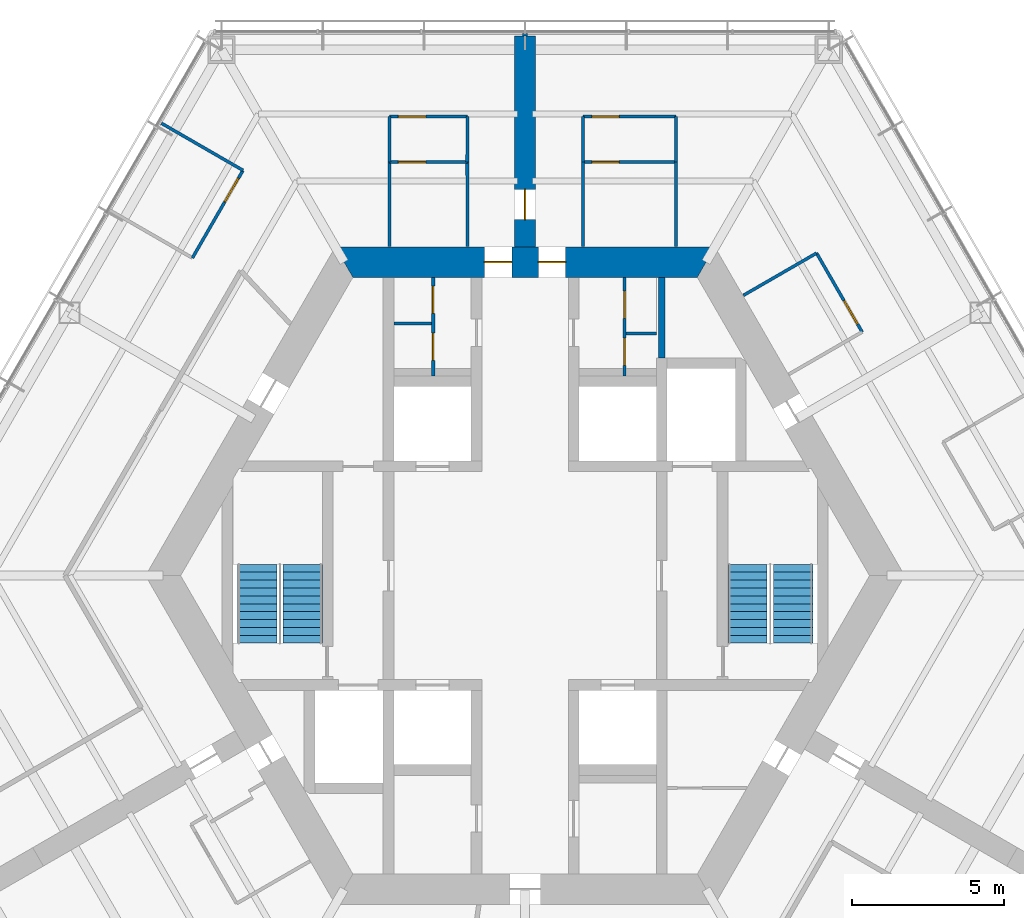
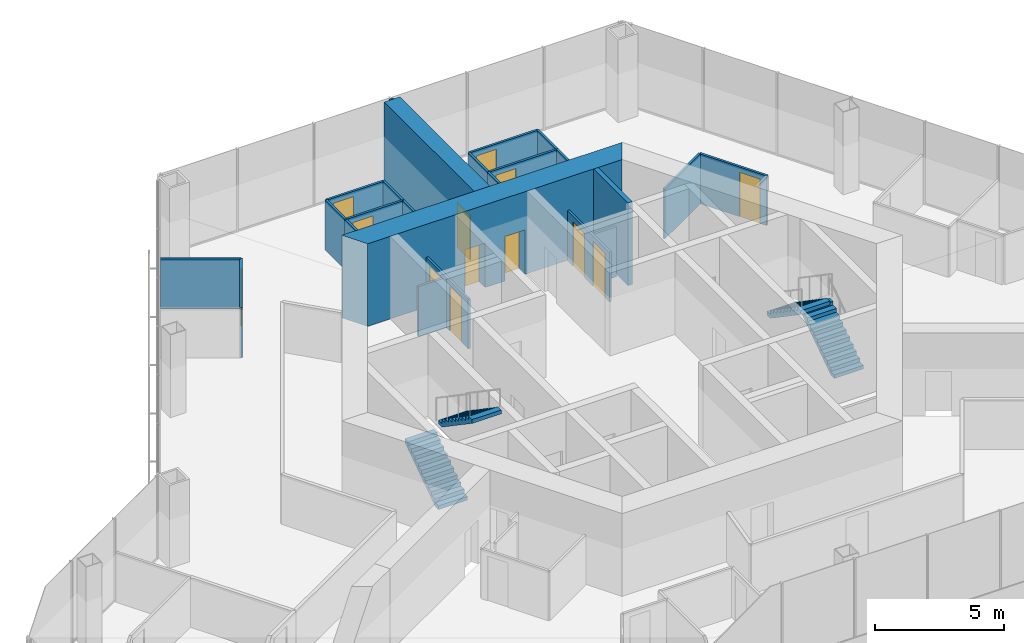
# One storey, part 15 of 18: 24 walls, 13 doors, 4 stair flights, 13 openings, 2 elements without a shape of their own.
"""IFC4 building model written with IfcOpenShell, lengths in metres."""

from ifc_helpers import new_model, si_unit, direction, frame, frame_2d, origin, place, context, subcontext, project, spatial, polyline, rectangle, outline, extrude, material, layer, layer_set, type_object, element, fill, aggregate, save


model = new_model("IFC4")

# Units and contexts
model_context = context("Model", 3, precision=1e-05, world=origin(), true_north=direction((0.0, 1.0)))
body_context = subcontext(model_context, "Body", "Model", "MODEL_VIEW")
ifc_project = project(units=[si_unit("LENGTHUNIT", "METRE"), si_unit("AREAUNIT", "SQUARE_METRE"), si_unit("VOLUMEUNIT", "CUBIC_METRE"), si_unit("PLANEANGLEUNIT", "RADIAN"), si_unit("MASSUNIT", "GRAM", prefix="KILO")], contexts=[model_context])

# Site, building, storey
site_placement = place(None, origin())
site = spatial("IfcSite", under=ifc_project, at=site_placement, CompositionType="ELEMENT")
building_placement = place(site_placement, origin())
building = spatial("IfcBuilding", under=site, at=building_placement, Name="Kasaneha Research Tower", CompositionType="ELEMENT")
storey_placement = place(building_placement, frame((0.0, 0.0, 199.39990234375)))
storey = spatial("IfcBuildingStorey", under=building, at=storey_placement, Name="L50", CompositionType="ELEMENT", Elevation=199.39990234375)

# Wall, openings, doors
ifc_material_1 = material(Name="Concrete Fc70", Category="concrete")
ifc_layer_1 = layer(ifc_material_1, 1.0)
ifc_layer_set_1 = layer_set([ifc_layer_1], Name="Core wall 1000 Fc70")
wall_type_1 = type_object("IfcWallType", Name="Core wall 1000 Fc70", PredefinedType="SHEAR", material=ifc_layer_set_1)
wall_1_placement = place(storey_placement, frame((5.961181640625, 10.324951171875, 0.0), z_axis=(0.0, 0.0, 1.0), x_axis=(-1.0, 0.0, 0.0)))
wall_1 = element("IfcWall", 1, at=wall_1_placement, inside=storey, type_object=wall_type_1, Name="Core wall 090 L50", PredefinedType="SHEAR", context=body_context, shape_type="SweptSolid", body=[
    extrude(outline(polyline([(-0.28857421875, -0.5), (4.62353515625, -0.5), (5.5234375, -0.5), (6.398681640625, -0.5), (7.298583984375, -0.5), (12.2109375, -0.5), (11.6337890625, 0.5), (7.298583984375, 0.5), (6.398681640625, 0.5), (5.5234375, 0.5), (4.62353515625, 0.5), (0.28857421875, 0.5), (-0.28857421875, -0.5)])), origin(), (0.0, 0.0, 1.0), 3.900146484375),
])
opening_1_placement = place(wall_1_placement, frame((6.398681640625, 0.0, 0.0)))
opening_1 = element("IfcOpeningElement", 2, at=opening_1_placement, cuts=wall_1, Name="Opening L50-D01", PredefinedType="OPENING", context=body_context, shape_type="SweptSolid", body=[
    extrude(rectangle(XDim=0.89990234375, YDim=2.10009765625, at=frame_2d((0.449951171875, 1.050048828125))), frame((0.0, 0.510009765625, 0.0), z_axis=(0.0, -1.0, 0.0), x_axis=(1.0, 0.0, 0.0)), (0.0, 0.0, 1.0), 1.02001953125),
])
opening_2_placement = place(wall_1_placement, frame((4.62353515625, 0.0, 0.0)))
opening_2 = element("IfcOpeningElement", 3, at=opening_2_placement, cuts=wall_1, Name="Opening L50-D02", PredefinedType="OPENING", context=body_context, shape_type="SweptSolid", body=[
    extrude(rectangle(XDim=0.89990234375, YDim=2.10009765625, at=frame_2d((0.449951171875, 1.050048828125))), frame((0.0, 0.510009765625, 0.0), z_axis=(0.0, -1.0, 0.0), x_axis=(1.0, 0.0, 0.0)), (0.0, 0.0, 1.0), 1.02001953125),
])
ifc_material_2 = material(Name="Steel", Category="steel")
door_type_1 = type_object("IfcDoorType", Name="Toilet door FD20 900x2100", OperationType="NOTDEFINED", PredefinedType="DOOR", material=ifc_material_2)
door_1_placement = place(opening_1_placement, origin())
door_1 = element("IfcDoor", 4, at=door_1_placement, inside=storey, type_object=door_type_1, Name="Core door north 1 L50-D01", OperationType="SINGLE_SWING_RIGHT", OverallHeight=2.10009765625, OverallWidth=0.89990234375, PredefinedType="DOOR", context=body_context, shape_type="SweptSolid", body=[
    extrude(rectangle(XDim=0.89990234375, YDim=2.10009765625, at=frame_2d((0.449951171875, 1.050048828125))), frame((0.0, 0.02490234375, 0.0), z_axis=(0.0, -1.0, 0.0), x_axis=(1.0, 0.0, 0.0)), (0.0, 0.0, 1.0), 0.050048828125),
])
fill(opening_1, door_1)
door_2_placement = place(opening_2_placement, origin())
door_2 = element("IfcDoor", 5, at=door_2_placement, inside=storey, type_object=door_type_1, Name="Core door north 2 L50-D02", OperationType="SINGLE_SWING_LEFT", OverallHeight=2.10009765625, OverallWidth=0.89990234375, PredefinedType="DOOR", context=body_context, shape_type="SweptSolid", body=[
    extrude(rectangle(XDim=0.89990234375, YDim=2.10009765625, at=frame_2d((0.449951171875, 1.050048828125))), frame((0.0, 0.02490234375, 0.0), z_axis=(0.0, -1.0, 0.0), x_axis=(1.0, 0.0, 0.0)), (0.0, 0.0, 1.0), 0.050048828125),
])
fill(opening_2, door_2)

ifc_material_3 = material(Name="Gypsum board on steel studs, one layer each side", Category="steel")
ifc_layer_2 = layer(ifc_material_3, 0.10009765625)
ifc_layer_set_2 = layer_set([ifc_layer_2], Name="Office partition 100")
wall_type_2 = type_object("IfcWallType", Name="Office partition 100", PredefinedType="PARTITIONING", material=ifc_layer_set_2)
wall_2_placement = place(storey_placement, frame((-3.02490234375, 6.574951171875, 0.0), z_axis=(0.0, 0.0, 1.0), x_axis=(0.0, 1.0, 0.0)))
wall_2 = element("IfcWall", 6, at=wall_2_placement, inside=storey, type_object=wall_type_2, Name="Office partition TBM1 L50", PredefinedType="PARTITIONING", context=body_context, shape_type="SweptSolid", body=[
    extrude(rectangle(XDim=3.25, YDim=0.10009765625, at=frame_2d((1.625, 0.0))), origin(), (0.0, 0.0, 1.0), 2.35009765625),
])
opening_3_placement = place(wall_2_placement, frame((2.06494140625, 0.0, 0.0)))
opening_3 = element("IfcOpeningElement", 7, at=opening_3_placement, cuts=wall_2, Name="Opening L50-D20", PredefinedType="OPENING", context=body_context, shape_type="SweptSolid", body=[
    extrude(rectangle(XDim=0.89990234375, YDim=2.10009765625, at=frame_2d((0.449951171875, 1.050048828125))), frame((0.0, 0.06005859375, 0.0), z_axis=(0.0, -1.0, 0.0), x_axis=(1.0, 0.0, 0.0)), (0.0, 0.0, 1.0), 0.1201171875),
])
opening_4_placement = place(wall_2_placement, frame((0.514892578125, 0.0, 0.0)))
opening_4 = element("IfcOpeningElement", 8, at=opening_4_placement, cuts=wall_2, Name="Opening L50-D21", PredefinedType="OPENING", context=body_context, shape_type="SweptSolid", body=[
    extrude(rectangle(XDim=0.89990234375, YDim=2.10009765625, at=frame_2d((0.449951171875, 1.050048828125))), frame((0.0, 0.06005859375, 0.0), z_axis=(0.0, -1.0, 0.0), x_axis=(1.0, 0.0, 0.0)), (0.0, 0.0, 1.0), 0.1201171875),
])
ifc_material_4 = material(Name="Steel", Category="steel")
door_type_2 = type_object("IfcDoorType", Name="Toilet lobby door FD30 900x2100", OperationType="NOTDEFINED", PredefinedType="DOOR", material=ifc_material_4)
door_3_placement = place(opening_3_placement, origin())
door_3 = element("IfcDoor", 9, at=door_3_placement, inside=storey, type_object=door_type_2, Name="Men's WC door L50-D20", OperationType="SINGLE_SWING_RIGHT", OverallHeight=2.10009765625, OverallWidth=0.89990234375, PredefinedType="DOOR", context=body_context, shape_type="SweptSolid", body=[
    extrude(rectangle(XDim=0.89990234375, YDim=2.10009765625, at=frame_2d((0.449951171875, 1.050048828125))), frame((0.0, 0.02490234375, 0.0), z_axis=(0.0, -1.0, 0.0), x_axis=(1.0, 0.0, 0.0)), (0.0, 0.0, 1.0), 0.050048828125),
])
fill(opening_3, door_3)
door_4_placement = place(opening_4_placement, origin())
door_4 = element("IfcDoor", 10, at=door_4_placement, inside=storey, type_object=door_type_2, Name="Shower room door L50-D21", OperationType="SINGLE_SWING_RIGHT", OverallHeight=2.10009765625, OverallWidth=0.89990234375, PredefinedType="DOOR", context=body_context, shape_type="SweptSolid", body=[
    extrude(rectangle(XDim=0.89990234375, YDim=2.10009765625, at=frame_2d((0.449951171875, 1.050048828125))), frame((0.0, 0.02490234375, 0.0), z_axis=(0.0, -1.0, 0.0), x_axis=(1.0, 0.0, 0.0)), (0.0, 0.0, 1.0), 0.050048828125),
])
fill(opening_4, door_4)

# Wall
wall_3_placement = place(storey_placement, frame((-3.074951171875, 8.304931640625, 0.0), z_axis=(0.0, 0.0, 1.0), x_axis=(-1.0, 0.0, 0.0)))
element("IfcWall", 11, at=wall_3_placement, inside=storey, type_object=wall_type_2, Name="Office partition TBM2 L50", PredefinedType="PARTITIONING", context=body_context, shape_type="SweptSolid", body=[
    extrude(rectangle(XDim=1.25, YDim=0.10009765625, at=frame_2d((0.625, 0.0))), origin(), (0.0, 0.0, 1.0), 2.35009765625),
])

# Wall, openings, doors
wall_4_placement = place(storey_placement, frame((3.27490234375, 6.574951171875, 0.0), z_axis=(0.0, 0.0, 1.0), x_axis=(0.0, 1.0, 0.0)))
wall_4 = element("IfcWall", 12, at=wall_4_placement, inside=storey, type_object=wall_type_2, Name="Office partition TBF1 L50", PredefinedType="PARTITIONING", context=body_context, shape_type="SweptSolid", body=[
    extrude(rectangle(XDim=3.25, YDim=0.10009765625, at=frame_2d((1.625, 0.0))), origin(), (0.0, 0.0, 1.0), 2.35009765625),
])
opening_5_placement = place(wall_4_placement, frame((1.89990234375, 0.0, 0.0)))
opening_5 = element("IfcOpeningElement", 13, at=opening_5_placement, cuts=wall_4, Name="Opening L50-D22", PredefinedType="OPENING", context=body_context, shape_type="SweptSolid", body=[
    extrude(rectangle(XDim=0.89990234375, YDim=2.10009765625, at=frame_2d((0.449951171875, 1.050048828125))), frame((0.0, 0.06005859375, 0.0), z_axis=(0.0, -1.0, 0.0), x_axis=(1.0, 0.0, 0.0)), (0.0, 0.0, 1.0), 0.1201171875),
])
opening_6_placement = place(wall_4_placement, frame((0.35009765625, 0.0, 0.0)))
opening_6 = element("IfcOpeningElement", 14, at=opening_6_placement, cuts=wall_4, Name="Opening L50-D23", PredefinedType="OPENING", context=body_context, shape_type="SweptSolid", body=[
    extrude(rectangle(XDim=0.89990234375, YDim=2.10009765625, at=frame_2d((0.449951171875, 1.050048828125))), frame((0.0, 0.06005859375, 0.0), z_axis=(0.0, -1.0, 0.0), x_axis=(1.0, 0.0, 0.0)), (0.0, 0.0, 1.0), 0.1201171875),
])
door_5_placement = place(opening_5_placement, origin())
door_5 = element("IfcDoor", 15, at=door_5_placement, inside=storey, type_object=door_type_2, Name="Women's WC door L50-D22", OperationType="SINGLE_SWING_RIGHT", OverallHeight=2.10009765625, OverallWidth=0.89990234375, PredefinedType="DOOR", context=body_context, shape_type="SweptSolid", body=[
    extrude(rectangle(XDim=0.89990234375, YDim=2.10009765625, at=frame_2d((0.449951171875, 1.050048828125))), frame((0.0, 0.02490234375, 0.0), z_axis=(0.0, -1.0, 0.0), x_axis=(1.0, 0.0, 0.0)), (0.0, 0.0, 1.0), 0.050048828125),
])
fill(opening_5, door_5)
door_6_placement = place(opening_6_placement, origin())
door_6 = element("IfcDoor", 16, at=door_6_placement, inside=storey, type_object=door_type_2, Name="Cleaner's store door L50-D23", OperationType="SINGLE_SWING_RIGHT", OverallHeight=2.10009765625, OverallWidth=0.89990234375, PredefinedType="DOOR", context=body_context, shape_type="SweptSolid", body=[
    extrude(rectangle(XDim=0.89990234375, YDim=2.10009765625, at=frame_2d((0.449951171875, 1.050048828125))), frame((0.0, 0.02490234375, 0.0), z_axis=(0.0, -1.0, 0.0), x_axis=(1.0, 0.0, 0.0)), (0.0, 0.0, 1.0), 0.050048828125),
])
fill(opening_6, door_6)

# Wall
wall_5_placement = place(storey_placement, frame((3.324951171875, 7.97509765625, 0.0), z_axis=(0.0, 0.0, 1.0), x_axis=(1.0, 0.0, 0.0)))
element("IfcWall", 17, at=wall_5_placement, inside=storey, type_object=wall_type_2, Name="Office partition TBF2 L50", PredefinedType="PARTITIONING", context=body_context, shape_type="SweptSolid", body=[
    extrude(rectangle(XDim=1.0, YDim=0.10009765625, at=frame_2d((0.5, 0.0))), origin(), (0.0, 0.0, 1.0), 2.35009765625),
])

# Wall, opening, door
wall_6_placement = place(storey_placement, frame((1.89990234375, 13.6201171875, 0.0), z_axis=(0.0, 0.0, 1.0), x_axis=(1.0, 0.0, 0.0)))
wall_6 = element("IfcWall", 18, at=wall_6_placement, inside=storey, type_object=wall_type_2, Name="Office partition FAE01 L50", PredefinedType="PARTITIONING", context=body_context, shape_type="SweptSolid", body=[
    extrude(rectangle(XDim=3.071044921875, YDim=0.10009765625, at=frame_2d((1.53564453125, 0.0))), origin(), (0.0, 0.0, 1.0), 2.35009765625),
])
opening_7_placement = place(wall_6_placement, frame((0.300048828125, 0.0, 0.0)))
opening_7 = element("IfcOpeningElement", 19, at=opening_7_placement, cuts=wall_6, Name="Opening L50-D25", PredefinedType="OPENING", context=body_context, shape_type="SweptSolid", body=[
    extrude(rectangle(XDim=0.89990234375, YDim=2.10009765625, at=frame_2d((0.449951171875, 1.050048828125))), frame((0.0, 0.06005859375, 0.0), z_axis=(0.0, -1.0, 0.0), x_axis=(1.0, 0.0, 0.0)), (0.0, 0.0, 1.0), 0.1201171875),
])
door_7_placement = place(opening_7_placement, origin())
door_7 = element("IfcDoor", 20, at=door_7_placement, inside=storey, type_object=door_type_2, Name="Women's WC door L50-D25", OperationType="SINGLE_SWING_LEFT", OverallHeight=2.10009765625, OverallWidth=0.89990234375, PredefinedType="DOOR", context=body_context, shape_type="SweptSolid", body=[
    extrude(rectangle(XDim=0.89990234375, YDim=2.10009765625, at=frame_2d((0.449951171875, 1.050048828125))), frame((0.0, 0.02490234375, 0.0), z_axis=(0.0, -1.0, 0.0), x_axis=(1.0, 0.0, 0.0)), (0.0, 0.0, 1.0), 0.050048828125),
])
fill(opening_7, door_7)

# Walls
for number, where, z_axis, x_axis, name in (
    (21, (1.89990234375, 10.844970703125, 0.0), (0.0, 0.0, 1.0), (0.001668567099, 0.999998607941, 0.0), "Office partition FAE02 L50"),
    (22, (4.96630859375, 13.625, 0.0), (0.0, 0.0, 1.0), (0.001668567099, -0.999998607941, 0.0), "Office partition FAE03 L50"),
):
    element("IfcWall", number, at=place(storey_placement, frame(where, z_axis=z_axis, x_axis=x_axis)), inside=storey, type_object=wall_type_2, Name=name, PredefinedType="PARTITIONING", context=body_context, shape_type="SweptSolid", body=[
        extrude(rectangle(XDim=2.780029296875, YDim=0.10009765625, at=frame_2d((1.39013671875, 0.0))), origin(), (0.0, 0.0, 1.0), 2.35009765625),
    ])

# Wall, opening, door
wall_7_placement = place(storey_placement, frame((1.89990234375, 15.125, 0.0), z_axis=(0.0, 0.0, 1.0), x_axis=(1.0, 0.0, 0.0)))
wall_7 = element("IfcWall", 23, at=wall_7_placement, inside=storey, type_object=wall_type_2, Name="Office partition FAE04 L50", PredefinedType="PARTITIONING", context=body_context, shape_type="SweptSolid", body=[
    extrude(rectangle(XDim=3.071044921875, YDim=0.10009765625, at=frame_2d((1.53564453125, 0.0))), origin(), (0.0, 0.0, 1.0), 2.35009765625),
])
opening_8_placement = place(wall_7_placement, frame((0.300048828125, 0.0, 0.0)))
opening_8 = element("IfcOpeningElement", 24, at=opening_8_placement, cuts=wall_7, Name="Opening L50-D26", PredefinedType="OPENING", context=body_context, shape_type="SweptSolid", body=[
    extrude(rectangle(XDim=0.89990234375, YDim=2.10009765625, at=frame_2d((0.449951171875, 1.050048828125))), frame((0.0, 0.06005859375, 0.0), z_axis=(0.0, -1.0, 0.0), x_axis=(1.0, 0.0, 0.0)), (0.0, 0.0, 1.0), 0.1201171875),
])
door_8_placement = place(opening_8_placement, origin())
door_8 = element("IfcDoor", 25, at=door_8_placement, inside=storey, type_object=door_type_2, Name="Toilet lobby door L50-D26", OperationType="SINGLE_SWING_LEFT", OverallHeight=2.10009765625, OverallWidth=0.89990234375, PredefinedType="DOOR", context=body_context, shape_type="SweptSolid", body=[
    extrude(rectangle(XDim=0.89990234375, YDim=2.10009765625, at=frame_2d((0.449951171875, 1.050048828125))), frame((0.0, 0.02490234375, 0.0), z_axis=(0.0, -1.0, 0.0), x_axis=(1.0, 0.0, 0.0)), (0.0, 0.0, 1.0), 0.050048828125),
])
fill(opening_8, door_8)

# Walls
for number, where, z_axis, x_axis, name in (
    (26, (1.904541015625, 13.625, 0.0), (0.0, 0.0, 1.0), (-0.00309243313, 0.999995218417, 0.0), "Office partition FAE05 L50"),
    (27, (4.970947265625, 15.125, 0.0), (0.0, 0.0, 1.0), (-0.00309243313, -0.999995218417, 0.0), "Office partition FAE06 L50"),
):
    element("IfcWall", number, at=place(storey_placement, frame(where, z_axis=z_axis, x_axis=x_axis)), inside=storey, type_object=wall_type_2, Name=name, PredefinedType="PARTITIONING", context=body_context, shape_type="SweptSolid", body=[
        extrude(rectangle(XDim=1.5, YDim=0.10009765625, at=frame_2d((0.75, 0.0))), origin(), (0.0, 0.0, 1.0), 2.35009765625),
    ])
wall_8_placement = place(storey_placement, frame((7.19189453125, 9.23291015625, 0.0), z_axis=(0.0, 0.0, 1.0), x_axis=(0.866018876994, 0.500011304563, 0.0)))
element("IfcWall", 28, at=wall_8_placement, inside=storey, type_object=wall_type_2, Name="Office partition FAE07 L50", PredefinedType="PARTITIONING", context=body_context, shape_type="SweptSolid", body=[
    extrude(rectangle(XDim=2.7802734375, YDim=0.10009765625, at=frame_2d((1.39013671875, 0.0))), origin(), (0.0, 0.0, 1.0), 2.35009765625),
])

# Wall, opening, door
wall_9_placement = place(storey_placement, frame((9.599609375, 10.623046875, 0.0), z_axis=(0.0, 0.0, 1.0), x_axis=(0.499990139034, -0.866031096941, 0.0)))
wall_9 = element("IfcWall", 29, at=wall_9_placement, inside=storey, type_object=wall_type_2, Name="Office partition FAE08 L50", PredefinedType="PARTITIONING", context=body_context, shape_type="SweptSolid", body=[
    extrude(rectangle(XDim=3.0, YDim=0.10009765625, at=frame_2d((1.5, 0.0))), origin(), (0.0, 0.0, 1.0), 2.35009765625),
])
opening_9_placement = place(wall_9_placement, frame((1.800048828125, 0.0, 0.0)))
opening_9 = element("IfcOpeningElement", 30, at=opening_9_placement, cuts=wall_9, Name="Opening L50-D27", PredefinedType="OPENING", context=body_context, shape_type="SweptSolid", body=[
    extrude(rectangle(XDim=0.89990234375, YDim=2.10009765625, at=frame_2d((0.449951171875, 1.050048828125))), frame((0.0, 0.06005859375, 0.0), z_axis=(0.0, -1.0, 0.0), x_axis=(1.0, 0.0, 0.0)), (0.0, 0.0, 1.0), 0.1201171875),
])
ifc_material_5 = material(Name="Timber veneer", Category="wood")
door_type_3 = type_object("IfcDoorType", Name="Office door 900x2100", OperationType="SINGLE_SWING_LEFT", PredefinedType="DOOR", material=ifc_material_5)
door_9_placement = place(opening_9_placement, origin())
door_9 = element("IfcDoor", 31, at=door_9_placement, inside=storey, type_object=door_type_3, Name="Pantry door L50-D27", OperationType="SINGLE_SWING_RIGHT", OverallHeight=2.10009765625, OverallWidth=0.89990234375, PredefinedType="DOOR", context=body_context, shape_type="SweptSolid", body=[
    extrude(rectangle(XDim=0.89990234375, YDim=2.10009765625, at=frame_2d((0.449951171875, 1.050048828125))), frame((0.0, 0.02490234375, 0.0), z_axis=(0.0, -1.0, 0.0), x_axis=(1.0, 0.0, 0.0)), (0.0, 0.0, 1.0), 0.050048828125),
])
fill(opening_9, door_9)

wall_10_placement = place(storey_placement, frame((-4.470947265625, 13.6201171875, 0.0), z_axis=(0.0, 0.0, 1.0), x_axis=(1.0, 0.0, 0.0)))
wall_10 = element("IfcWall", 32, at=wall_10_placement, inside=storey, type_object=wall_type_2, Name="Office partition FAW01 L50", PredefinedType="PARTITIONING", context=body_context, shape_type="SweptSolid", body=[
    extrude(rectangle(XDim=2.571044921875, YDim=0.10009765625, at=frame_2d((1.28564453125, 0.0))), origin(), (0.0, 0.0, 1.0), 2.35009765625),
])
opening_10_placement = place(wall_10_placement, frame((0.300048828125, 0.0, 0.0)))
opening_10 = element("IfcOpeningElement", 33, at=opening_10_placement, cuts=wall_10, Name="Opening L50-D30", PredefinedType="OPENING", context=body_context, shape_type="SweptSolid", body=[
    extrude(rectangle(XDim=0.89990234375, YDim=2.10009765625, at=frame_2d((0.449951171875, 1.050048828125))), frame((0.0, 0.06005859375, 0.0), z_axis=(0.0, -1.0, 0.0), x_axis=(1.0, 0.0, 0.0)), (0.0, 0.0, 1.0), 0.1201171875),
])
door_10_placement = place(opening_10_placement, origin())
door_10 = element("IfcDoor", 34, at=door_10_placement, inside=storey, type_object=door_type_2, Name="Men's WC door L50-D30", OperationType="SINGLE_SWING_LEFT", OverallHeight=2.10009765625, OverallWidth=0.89990234375, PredefinedType="DOOR", context=body_context, shape_type="SweptSolid", body=[
    extrude(rectangle(XDim=0.89990234375, YDim=2.10009765625, at=frame_2d((0.449951171875, 1.050048828125))), frame((0.0, 0.02490234375, 0.0), z_axis=(0.0, -1.0, 0.0), x_axis=(1.0, 0.0, 0.0)), (0.0, 0.0, 1.0), 0.050048828125),
])
fill(opening_10, door_10)

# Walls
for number, where, z_axis, x_axis, name in (
    (35, (-4.470947265625, 10.844970703125, 0.0), (0.0, 0.0, 1.0), (0.001668567099, 0.999998607941, 0.0), "Office partition FAW02 L50"),
    (36, (-1.90478515625, 13.625, 0.0), (0.0, 0.0, 1.0), (0.001756386155, -0.999998457553, 0.0), "Office partition FAW03 L50"),
):
    element("IfcWall", number, at=place(storey_placement, frame(where, z_axis=z_axis, x_axis=x_axis)), inside=storey, type_object=wall_type_2, Name=name, PredefinedType="PARTITIONING", context=body_context, shape_type="SweptSolid", body=[
        extrude(rectangle(XDim=2.780029296875, YDim=0.10009765625, at=frame_2d((1.39013671875, 0.0))), origin(), (0.0, 0.0, 1.0), 2.35009765625),
    ])

# Wall, opening, door
wall_11_placement = place(storey_placement, frame((-4.470947265625, 15.125, 0.0), z_axis=(0.0, 0.0, 1.0), x_axis=(1.0, 0.0, 0.0)))
wall_11 = element("IfcWall", 37, at=wall_11_placement, inside=storey, type_object=wall_type_2, Name="Office partition FAW04 L50", PredefinedType="PARTITIONING", context=body_context, shape_type="SweptSolid", body=[
    extrude(rectangle(XDim=2.571044921875, YDim=0.10009765625, at=frame_2d((1.28564453125, 0.0))), origin(), (0.0, 0.0, 1.0), 2.35009765625),
])
opening_11_placement = place(wall_11_placement, frame((0.300048828125, 0.0, 0.0)))
opening_11 = element("IfcOpeningElement", 38, at=opening_11_placement, cuts=wall_11, Name="Opening L50-D31", PredefinedType="OPENING", context=body_context, shape_type="SweptSolid", body=[
    extrude(rectangle(XDim=0.89990234375, YDim=2.10009765625, at=frame_2d((0.449951171875, 1.050048828125))), frame((0.0, 0.06005859375, 0.0), z_axis=(0.0, -1.0, 0.0), x_axis=(1.0, 0.0, 0.0)), (0.0, 0.0, 1.0), 0.1201171875),
])
door_11_placement = place(opening_11_placement, origin())
door_11 = element("IfcDoor", 39, at=door_11_placement, inside=storey, type_object=door_type_2, Name="Toilet lobby door L50-D31", OperationType="SINGLE_SWING_LEFT", OverallHeight=2.10009765625, OverallWidth=0.89990234375, PredefinedType="DOOR", context=body_context, shape_type="SweptSolid", body=[
    extrude(rectangle(XDim=0.89990234375, YDim=2.10009765625, at=frame_2d((0.449951171875, 1.050048828125))), frame((0.0, 0.02490234375, 0.0), z_axis=(0.0, -1.0, 0.0), x_axis=(1.0, 0.0, 0.0)), (0.0, 0.0, 1.0), 0.050048828125),
])
fill(opening_11, door_11)

# Walls
for number, where, z_axis, x_axis, name in (
    (40, (-4.46630859375, 13.625, 0.0), (0.0, 0.0, 1.0), (-0.00309243313, 0.999995218417, 0.0), "Office partition FAW05 L50"),
    (41, (-1.89990234375, 15.125, 0.0), (0.0, 0.0, 1.0), (-0.003255191087, -0.999994701851, 0.0), "Office partition FAW06 L50"),
):
    element("IfcWall", number, at=place(storey_placement, frame(where, z_axis=z_axis, x_axis=x_axis)), inside=storey, type_object=wall_type_2, Name=name, PredefinedType="PARTITIONING", context=body_context, shape_type="SweptSolid", body=[
        extrude(rectangle(XDim=1.5, YDim=0.10009765625, at=frame_2d((0.75, 0.0))), origin(), (0.0, 0.0, 1.0), 2.35009765625),
    ])
wall_12_placement = place(storey_placement, frame((-11.979736328125, 14.901611328125, 0.0), z_axis=(0.0, 0.0, 1.0), x_axis=(0.866042875753, -0.499969736442, 0.0)))
element("IfcWall", 42, at=wall_12_placement, inside=storey, type_object=wall_type_2, Name="Office partition FBN12 L50", PredefinedType="PARTITIONING", context=body_context, shape_type="SweptSolid", body=[
    extrude(rectangle(XDim=3.105224609375, YDim=0.10009765625, at=frame_2d((1.552734375, 0.0))), origin(), (0.0, 0.0, 1.0), 2.35009765625),
])

# Wall, opening, door
wall_13_placement = place(storey_placement, frame((-9.29052734375, 13.34912109375, 0.0), z_axis=(0.0, 0.0, 1.0), x_axis=(-0.500033344505, -0.86600615147, 0.0)))
wall_13 = element("IfcWall", 43, at=wall_13_placement, inside=storey, type_object=wall_type_2, Name="Office partition FBN14 L50", PredefinedType="PARTITIONING", context=body_context, shape_type="SweptSolid", body=[
    extrude(rectangle(XDim=3.330810546875, YDim=0.10009765625, at=frame_2d((1.66552734375, 0.0))), origin(), (0.0, 0.0, 1.0), 2.35009765625),
])
opening_12_placement = place(wall_13_placement, frame((0.300048828125, 0.0, 0.0)))
opening_12 = element("IfcOpeningElement", 44, at=opening_12_placement, cuts=wall_13, Name="Opening L50-D36", PredefinedType="OPENING", context=body_context, shape_type="SweptSolid", body=[
    extrude(rectangle(XDim=0.89990234375, YDim=2.10009765625, at=frame_2d((0.449951171875, 1.050048828125))), frame((0.0, 0.06005859375, 0.0), z_axis=(0.0, -1.0, 0.0), x_axis=(1.0, 0.0, 0.0)), (0.0, 0.0, 1.0), 0.1201171875),
])
door_12_placement = place(opening_12_placement, origin())
door_12 = element("IfcDoor", 45, at=door_12_placement, inside=storey, type_object=door_type_3, Name="Project room door L50-D36", OperationType="SINGLE_SWING_LEFT", OverallHeight=2.10009765625, OverallWidth=0.89990234375, PredefinedType="DOOR", context=body_context, shape_type="SweptSolid", body=[
    extrude(rectangle(XDim=0.89990234375, YDim=2.10009765625, at=frame_2d((0.449951171875, 1.050048828125))), frame((0.0, 0.02490234375, 0.0), z_axis=(0.0, -1.0, 0.0), x_axis=(1.0, 0.0, 0.0)), (0.0, 0.0, 1.0), 0.050048828125),
])
fill(opening_12, door_12)

# Wall
ifc_material_6 = material(Name="Concrete block", Category="concrete")
ifc_layer_3 = layer(ifc_material_6, 0.199951171875)
ifc_layer_set_3 = layer_set([ifc_layer_3], Name="Riser enclosure wall 200")
wall_type_3 = type_object("IfcWallType", Name="Riser enclosure wall 200", PredefinedType="STANDARD", material=ifc_layer_set_3)
wall_14_placement = place(storey_placement, frame((4.5, 7.175048828125, 0.0), z_axis=(0.0, 0.0, 1.0), x_axis=(0.0, 1.0, 0.0)))
element("IfcWall", 46, at=wall_14_placement, inside=storey, type_object=wall_type_3, Name="Riser enclosure wall L50", PredefinedType="STANDARD", context=body_context, shape_type="SweptSolid", body=[
    extrude(rectangle(XDim=2.64990234375, YDim=0.199951171875, at=frame_2d((1.324951171875, 0.0))), origin(), (0.0, 0.0, 1.0), 3.900146484375),
])

# Wall, opening, door
ifc_material_7 = material(Name="Concrete Fc70", Category="concrete")
ifc_layer_4 = layer(ifc_material_7, 0.699951171875)
ifc_layer_set_4 = layer_set([ifc_layer_4], Name="Spine wall 700 Fc70")
wall_type_4 = type_object("IfcWallType", Name="Spine wall 700 Fc70", PredefinedType="SHEAR", material=ifc_layer_set_4)
wall_15_placement = place(storey_placement, frame((0.0, 10.824951171875, 0.0), z_axis=(0.0, 0.0, 1.0), x_axis=(0.0, 1.0, 0.0)))
wall_15 = element("IfcWall", 47, at=wall_15_placement, inside=storey, type_object=wall_type_4, Name="Spine wall A L50", PredefinedType="SHEAR", context=body_context, shape_type="SweptSolid", body=[
    extrude(rectangle(XDim=6.945556640625, YDim=0.699951171875, at=frame_2d((3.47265625, 0.0))), origin(), (0.0, 0.0, 1.0), 3.900146484375),
])
opening_13_placement = place(wall_15_placement, frame((0.89990234375, 0.0, 0.0)))
opening_13 = element("IfcOpeningElement", 48, at=opening_13_placement, cuts=wall_15, Name="Opening L50-D17", PredefinedType="OPENING", context=body_context, shape_type="SweptSolid", body=[
    extrude(rectangle(XDim=1.0, YDim=2.10009765625, at=frame_2d((0.5, 1.050048828125))), frame((0.0, 0.35986328125, 0.0), z_axis=(0.0, -1.0, 0.0), x_axis=(1.0, 0.0, 0.0)), (0.0, 0.0, 1.0), 0.719970703125),
])
ifc_material_8 = material(Name="Steel", Category="steel")
door_type_4 = type_object("IfcDoorType", Name="Specified fire door FD60 1000x2100", OperationType="NOTDEFINED", PredefinedType="DOOR", material=ifc_material_8)
door_13_placement = place(opening_13_placement, origin())
door_13 = element("IfcDoor", 49, at=door_13_placement, inside=storey, type_object=door_type_4, Name="Spine doorway A L50-D17", OperationType="SINGLE_SWING_LEFT", OverallHeight=2.10009765625, OverallWidth=1.0, PredefinedType="DOOR", context=body_context, shape_type="SweptSolid", body=[
    extrude(rectangle(XDim=1.0, YDim=2.10009765625, at=frame_2d((0.5, 1.050048828125))), frame((0.0, 0.02490234375, 0.0), z_axis=(0.0, -1.0, 0.0), x_axis=(1.0, 0.0, 0.0)), (0.0, 0.0, 1.0), 0.050048828125),
])
fill(opening_13, door_13)

# Wall
ifc_material_9 = material(Name="Gypsum board on steel studs, two layers each side", Category="steel")
ifc_layer_5 = layer(ifc_material_9, 0.175048828125)
ifc_layer_set_5 = layer_set([ifc_layer_5], Name="Tenancy fire partition 175")
wall_type_5 = type_object("IfcWallType", Name="Tenancy fire partition 175", PredefinedType="PARTITIONING", material=ifc_layer_set_5)
wall_16_placement = place(storey_placement, frame((0.0, 17.7705078125, 0.0), z_axis=(0.0, 0.0, 1.0), x_axis=(0.0, 1.0, 0.0)))
element("IfcWall", 50, at=wall_16_placement, inside=storey, type_object=wall_type_5, Name="Spine wall closer SW3-700 L50", PredefinedType="PARTITIONING", context=body_context, shape_type="SweptSolid", body=[
    extrude(rectangle(XDim=0.080078125, YDim=0.175048828125, at=frame_2d((0.0400390625, 0.0))), origin(), (0.0, 0.0, 1.0), 3.900146484375),
])

# Stair, stair flights
ifc_material_10 = material(Name="Concrete Fc24", Category="concrete")
stair_type = type_object("IfcStairType", Name="Half-turn stair 22 risers", PredefinedType="HALF_TURN_STAIR", material=ifc_material_10)
stair_1_placement = place(storey_placement, origin())
stair_1 = element("IfcStair", 51, at=stair_1_placement, inside=storey, type_object=stair_type, Name="Stair 1 L50", PredefinedType="HALF_TURN_STAIR")
ifc_material_11 = material(Name="Concrete Fc24", Category="concrete")
stair_flight_type = type_object("IfcStairFlightType", Name="Stair flight 11 risers 177.3", PredefinedType="STRAIGHT", material=ifc_material_11)
stair_flight_1_placement = place(storey_placement, frame((8.824951171875, -2.22509765625, 0.0), z_axis=(0.0, 0.0, 1.0), x_axis=(0.0, 1.0, 0.0)))
stair_flight_1 = element("IfcStairFlight", 52, at=stair_flight_1_placement, type_object=stair_flight_type, Name="ST1-22R flight 1", NumberOfRisers=11, NumberOfTreads=10, PredefinedType="STRAIGHT", RiserHeight=0.177272727, TreadLength=0.26, context=body_context, shape_type="SweptSolid", body=[
    extrude(outline(polyline([(0.0, 0.0), (0.0, 0.17724609375), (0.260009765625, 0.17724609375), (0.260009765625, 0.3544921875), (0.52001953125, 0.3544921875), (0.52001953125, 0.53173828125), (0.780029296875, 0.53173828125), (0.780029296875, 0.708984375), (1.0400390625, 0.708984375), (1.0400390625, 0.886474609375), (1.300048828125, 0.886474609375), (1.300048828125, 1.063720703125), (1.56005859375, 1.063720703125), (1.56005859375, 1.240966796875), (1.820068359375, 1.240966796875), (1.820068359375, 1.418212890625), (2.080078125, 1.418212890625), (2.080078125, 1.595458984375), (2.340087890625, 1.595458984375), (2.340087890625, 1.772705078125), (2.60009765625, 1.772705078125), (2.60009765625, 1.949951171875), (2.60009765625, 1.59130859375), (0.26611328125, 0.0), (0.0, 0.0)])), frame((0.0, 0.64990234375, 0.0), z_axis=(0.0, -1.0, 0.0), x_axis=(1.0, 0.0, 0.0)), (0.0, 0.0, 1.0), 1.300048828125),
])
stair_flight_2_placement = place(storey_placement, frame((7.324951171875, 0.375, 1.9501953125), z_axis=(0.0, 0.0, 1.0), x_axis=(0.0, -1.0, 0.0)))
stair_flight_2 = element("IfcStairFlight", 53, at=stair_flight_2_placement, type_object=stair_flight_type, Name="ST1-22R flight 2", NumberOfRisers=11, NumberOfTreads=10, PredefinedType="STRAIGHT", RiserHeight=0.177272727, TreadLength=0.26, context=body_context, shape_type="SweptSolid", body=[
    extrude(outline(polyline([(0.0, 0.0), (0.0, 0.17724609375), (0.260009765625, 0.17724609375), (0.260009765625, 0.3544921875), (0.52001953125, 0.3544921875), (0.52001953125, 0.53173828125), (0.780029296875, 0.53173828125), (0.780029296875, 0.708984375), (1.0400390625, 0.708984375), (1.0400390625, 0.886474609375), (1.300048828125, 0.886474609375), (1.300048828125, 1.063720703125), (1.56005859375, 1.063720703125), (1.56005859375, 1.240966796875), (1.820068359375, 1.240966796875), (1.820068359375, 1.418212890625), (2.080078125, 1.418212890625), (2.080078125, 1.595458984375), (2.340087890625, 1.595458984375), (2.340087890625, 1.772705078125), (2.60009765625, 1.772705078125), (2.60009765625, 1.949951171875), (2.60009765625, 1.59130859375), (0.26611328125, 0.0), (0.0, 0.0)])), frame((0.0, 0.64990234375, 0.0), z_axis=(0.0, -1.0, 0.0), x_axis=(1.0, 0.0, 0.0)), (0.0, 0.0, 1.0), 1.300048828125),
])
aggregate(stair_1, [stair_flight_1, stair_flight_2])

stair_2_placement = place(storey_placement, origin())
stair_2 = element("IfcStair", 54, at=stair_2_placement, inside=storey, type_object=stair_type, Name="Stair 2 L50", PredefinedType="HALF_TURN_STAIR")
stair_flight_3_placement = place(storey_placement, frame((-8.824951171875, -2.22509765625, 0.0), z_axis=(0.0, 0.0, 1.0), x_axis=(0.0, 1.0, 0.0)))
stair_flight_3 = element("IfcStairFlight", 55, at=stair_flight_3_placement, type_object=stair_flight_type, Name="ST2-22R flight 1", NumberOfRisers=11, NumberOfTreads=10, PredefinedType="STRAIGHT", RiserHeight=0.177272727, TreadLength=0.26, context=body_context, shape_type="SweptSolid", body=[
    extrude(outline(polyline([(0.0, 0.0), (0.0, 0.17724609375), (0.260009765625, 0.17724609375), (0.260009765625, 0.3544921875), (0.52001953125, 0.3544921875), (0.52001953125, 0.53173828125), (0.780029296875, 0.53173828125), (0.780029296875, 0.708984375), (1.0400390625, 0.708984375), (1.0400390625, 0.886474609375), (1.300048828125, 0.886474609375), (1.300048828125, 1.063720703125), (1.56005859375, 1.063720703125), (1.56005859375, 1.240966796875), (1.820068359375, 1.240966796875), (1.820068359375, 1.418212890625), (2.080078125, 1.418212890625), (2.080078125, 1.595458984375), (2.340087890625, 1.595458984375), (2.340087890625, 1.772705078125), (2.60009765625, 1.772705078125), (2.60009765625, 1.949951171875), (2.60009765625, 1.59130859375), (0.26611328125, 0.0), (0.0, 0.0)])), frame((0.0, 0.64990234375, 0.0), z_axis=(0.0, -1.0, 0.0), x_axis=(1.0, 0.0, 0.0)), (0.0, 0.0, 1.0), 1.300048828125),
])
stair_flight_4_placement = place(storey_placement, frame((-7.324951171875, 0.375, 1.9501953125), z_axis=(0.0, 0.0, 1.0), x_axis=(0.0, -1.0, 0.0)))
stair_flight_4 = element("IfcStairFlight", 56, at=stair_flight_4_placement, type_object=stair_flight_type, Name="ST2-22R flight 2", NumberOfRisers=11, NumberOfTreads=10, PredefinedType="STRAIGHT", RiserHeight=0.177272727, TreadLength=0.26, context=body_context, shape_type="SweptSolid", body=[
    extrude(outline(polyline([(0.0, 0.0), (0.0, 0.17724609375), (0.260009765625, 0.17724609375), (0.260009765625, 0.3544921875), (0.52001953125, 0.3544921875), (0.52001953125, 0.53173828125), (0.780029296875, 0.53173828125), (0.780029296875, 0.708984375), (1.0400390625, 0.708984375), (1.0400390625, 0.886474609375), (1.300048828125, 0.886474609375), (1.300048828125, 1.063720703125), (1.56005859375, 1.063720703125), (1.56005859375, 1.240966796875), (1.820068359375, 1.240966796875), (1.820068359375, 1.418212890625), (2.080078125, 1.418212890625), (2.080078125, 1.595458984375), (2.340087890625, 1.595458984375), (2.340087890625, 1.772705078125), (2.60009765625, 1.772705078125), (2.60009765625, 1.949951171875), (2.60009765625, 1.59130859375), (0.26611328125, 0.0), (0.0, 0.0)])), frame((0.0, 0.64990234375, 0.0), z_axis=(0.0, -1.0, 0.0), x_axis=(1.0, 0.0, 0.0)), (0.0, 0.0, 1.0), 1.300048828125),
])
aggregate(stair_2, [stair_flight_3, stair_flight_4])

save(model, "model.ifc")
